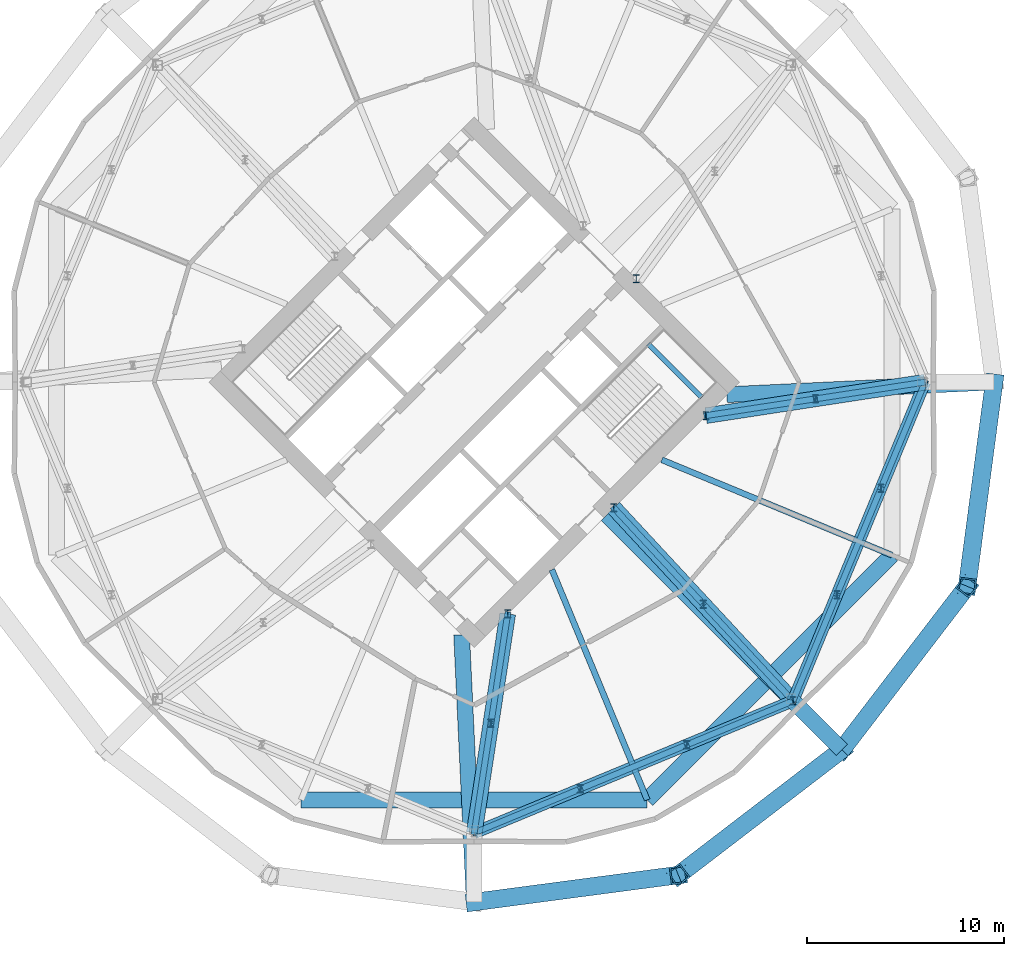
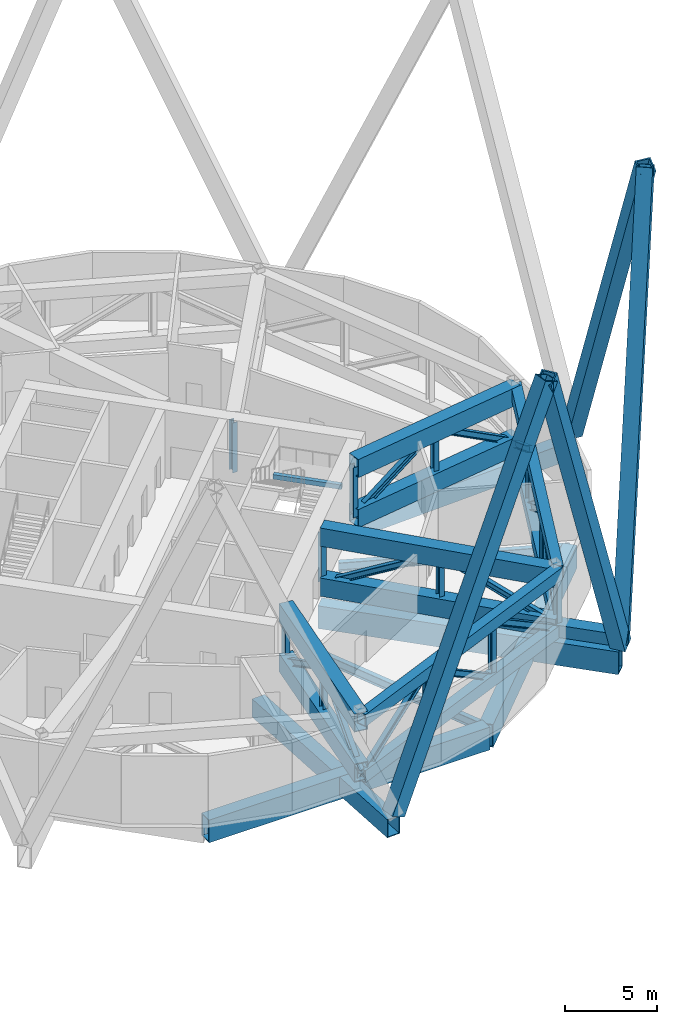
# One storey, part 9 of 21: 38 members, 9 beams.
"""IFC4 building model written with IfcOpenShell, lengths in metres."""

from ifc_helpers import new_model, si_unit, direction, frame, origin, origin_2d, place, context, subcontext, project, spatial, rectangle, hollow_rectangle, i_section, extrude, material, material_profile, profile_set, type_object, element, save


model = new_model("IFC4")

# Units and contexts
model_context = context("Model", 3, precision=1e-05, world=origin(), true_north=direction((0.0, 1.0)))
body_context = subcontext(model_context, "Body", "Model", "MODEL_VIEW")
ifc_project = project(units=[si_unit("LENGTHUNIT", "METRE"), si_unit("AREAUNIT", "SQUARE_METRE"), si_unit("VOLUMEUNIT", "CUBIC_METRE"), si_unit("PLANEANGLEUNIT", "RADIAN"), si_unit("MASSUNIT", "GRAM", prefix="KILO")], contexts=[model_context])

# Site, building, storey
site_placement = place(None, origin())
site = spatial("IfcSite", under=ifc_project, at=site_placement, CompositionType="ELEMENT")
building_placement = place(site_placement, origin())
building = spatial("IfcBuilding", under=site, at=building_placement, Name="Ogive Gate Towers", CompositionType="ELEMENT")
storey_placement = place(building_placement, frame((0.0, 0.0, 71.39990234375)))
storey = spatial("IfcBuildingStorey", under=building, at=storey_placement, Name="L16", CompositionType="ELEMENT", Elevation=71.39990234375)

# Members
ifc_material_1 = material(Name="Steel SM460", Category="steel")
ifc_material_profile_1 = material_profile(ifc_material_1, hollow_rectangle(XDim=0.89990234375, YDim=0.89990234375, WallThickness=0.080078125, at=origin_2d()), Name="BX 900x900x80")
ifc_profile_set_1 = profile_set([ifc_material_profile_1], Name="Steel SM460")
member_type_1 = type_object("IfcMemberType", Name="Diagrid diagonal BX 900x900x80", PredefinedType="BRACE", material=ifc_profile_set_1)
for number, where, z_axis, x_axis, name in (
    (1, (62.330078125, 0.0, 0.0), (-0.05169225596, -0.391020203016, 0.918929328897), (0.991374679477, -0.131058173692, 0.0), "T2/L16/SDG001"),
    (2, (36.0, -26.330078125, 0.0), (0.391020203016, 0.05169225596, 0.918929328897), (-0.131058173692, 0.991374679477, 0.0), "T2/L16/SDG014"),
    (3, (54.6181640625, -18.6181640625, 0.0), (-0.313043448302, -0.239941197331, 0.918929823925), (0.608337680052, -0.793678314576, 0.0), "T2/L16/SDG015"),
    (4, (54.6181640625, -18.6181640625, 0.0), (0.239941197331, 0.313043448302, 0.918929823925), (-0.793678314576, 0.608337680052, 0.0), "T2/L16/SDG016"),
):
    element("IfcMember", number, at=place(storey_placement, frame(where, z_axis=z_axis, x_axis=x_axis)), inside=storey, type_object=member_type_1, Name=name, PredefinedType="BRACE", context=body_context, shape_type="SweptSolid", body=[
        extrude(hollow_rectangle(XDim=0.89990234375, YDim=0.89990234375, WallThickness=0.080078125, at=origin_2d()), origin(), (0.0, 0.0, 1.0), 26.44384765625),
    ])

# Beams
ifc_material_profile_2 = material_profile(ifc_material_1, hollow_rectangle(XDim=0.800048828125, YDim=1.5, WallThickness=0.06005859375, at=origin_2d()), Name="BX 1500x800x60")
ifc_profile_set_2 = profile_set([ifc_material_profile_2], Name="Steel SM460")
beam_type_1 = type_object("IfcBeamType", Name="Edge girder BX 1500x800x60", PredefinedType="BEAM", material=ifc_profile_set_2)
for number, where, z_axis, x_axis, name in (
    (5, (27.236572265625, -21.15673828125, -1.0498046875), (1.0, 0.0, 0.0), (0.0, 1.0, 0.0), "T2/L16/SBM018"),
    (6, (44.763427734375, -21.15673828125, -1.0498046875), (0.707106781187, 0.707106781187, 0.0), (-0.707106781187, 0.707106781187, 0.0), "T2/L16/SBM019"),
):
    element("IfcBeam", number, at=place(storey_placement, frame(where, z_axis=z_axis, x_axis=x_axis)), inside=storey, type_object=beam_type_1, Name=name, PredefinedType="BEAM", context=body_context, shape_type="SweptSolid", body=[
        extrude(hollow_rectangle(XDim=0.800048828125, YDim=1.5, WallThickness=0.06005859375, at=origin_2d()), origin(), (0.0, 0.0, 1.0), 17.52685546875),
    ])
ifc_material_2 = material(Name="Concrete C40/50", Category="concrete")
ifc_material_profile_3 = material_profile(ifc_material_2, rectangle(XDim=0.25, YDim=0.300048828125, at=origin_2d()), Name="RC 250x300")
ifc_profile_set_3 = profile_set([ifc_material_profile_3], Name="Concrete C40/50")
beam_type_2 = type_object("IfcBeamType", Name="Landing bearer RC 250x300", PredefinedType="BEAM", material=ifc_profile_set_3)
beam_1_placement = place(storey_placement, frame((47.527587890625, -0.77587890625, 2.050048828125), z_axis=(-0.707106781187, 0.707106781187, 0.0), x_axis=(-0.707106781187, -0.707106781187, 0.0)))
element("IfcBeam", 7, at=beam_1_placement, inside=storey, type_object=beam_type_2, Name="T2 L16 stair 2 landing bearer 1", PredefinedType="BEAM", context=body_context, shape_type="SweptSolid", body=[
    extrude(rectangle(XDim=0.25, YDim=0.300048828125, at=origin_2d()), origin(), (0.0, 0.0, 1.0), 3.824951171875),
])
ifc_material_profile_4 = material_profile(ifc_material_1, hollow_rectangle(XDim=0.800048828125, YDim=0.800048828125, WallThickness=0.050048828125, at=origin_2d()), Name="BX 800x800x50")
ifc_profile_set_4 = profile_set([ifc_material_profile_4], Name="Steel SM460")
beam_type_3 = type_object("IfcBeamType", Name="Node arm BX 800x800x50", PredefinedType="BEAM", material=ifc_profile_set_4)
beam_2_placement = place(storey_placement, frame((52.143310546875, -16.143310546875, 0.4501953125), z_axis=(0.707106781187, -0.707106781187, 0.0), x_axis=(0.707106781187, 0.707106781187, 0.0)))
element("IfcBeam", 8, at=beam_2_placement, inside=storey, type_object=beam_type_3, Name="T2/L16/SBM032", PredefinedType="BEAM", context=body_context, shape_type="SweptSolid", body=[
    extrude(hollow_rectangle(XDim=0.800048828125, YDim=0.800048828125, WallThickness=0.050048828125, at=origin_2d()), origin(), (0.0, 0.0, 1.0), 3.5),
])
ifc_material_3 = material(Name="Steel SM355", Category="steel")
ifc_material_profile_5 = material_profile(ifc_material_3, i_section(OverallWidth=0.300048828125, OverallDepth=0.590087890625, WebThickness=0.012939453125, FlangeThickness=0.02490234375, FilletRadius=0.027099609375, at=origin_2d()), Name="HE 600 A")
ifc_profile_set_5 = profile_set([ifc_material_profile_5], Name="Steel SM355")
beam_type_4 = type_object("IfcBeamType", Name="Radial floor beam HE 600 A", PredefinedType="BEAM", material=ifc_profile_set_5)
for number, where, z_axis, x_axis, name in (
    (9, (39.93505859375, -9.5, -0.594970703125), (0.382682759347, -0.923879811284, 0.0), (0.923879811284, 0.382682759347, 0.0), "T2/L16/SBM005"),
    (10, (45.5, -3.93505859375, -0.594970703125), (0.923879811284, -0.382682759347, 0.0), (0.382682759347, 0.923879811284, 0.0), "T2/L16/SBM007"),
):
    element("IfcBeam", number, at=place(storey_placement, frame(where, z_axis=z_axis, x_axis=x_axis)), inside=storey, type_object=beam_type_4, Name=name, PredefinedType="BEAM", context=body_context, shape_type="SweptSolid", body=[
        extrude(i_section(OverallWidth=0.300048828125, OverallDepth=0.590087890625, WebThickness=0.012939453125, FlangeThickness=0.02490234375, FilletRadius=0.027099609375, at=origin_2d()), origin(), (0.0, 0.0, 1.0), 12.6171875),
    ])
ifc_material_profile_6 = material_profile(ifc_material_1, hollow_rectangle(XDim=0.800048828125, YDim=1.199951171875, WallThickness=0.050048828125, at=origin_2d()), Name="BX 1200x800x50")
ifc_profile_set_6 = profile_set([ifc_material_profile_6], Name="Steel SM460")
beam_type_5 = type_object("IfcBeamType", Name="Transfer radial beam BX 1200x800x50", PredefinedType="BEAM", material=ifc_profile_set_6)
for number, where, z_axis, x_axis, name in (
    (11, (35.363525390625, -12.798583984375, -0.89990234375), (0.046984589384, -0.998895614346, 0.0), (0.998895614346, 0.046984589384, 0.0), "T2/L16/SBM004"),
    (12, (48.798583984375, -0.636474609375, -0.89990234375), (0.998895614346, 0.046984589384, 0.0), (-0.046984589384, 0.998895614346, 0.0), "T2/L16/SBM008"),
):
    element("IfcBeam", number, at=place(storey_placement, frame(where, z_axis=z_axis, x_axis=x_axis)), inside=storey, type_object=beam_type_5, Name=name, PredefinedType="BEAM", context=body_context, shape_type="SweptSolid", body=[
        extrude(hollow_rectangle(XDim=0.800048828125, YDim=1.199951171875, WallThickness=0.050048828125, at=origin_2d()), origin(), (0.0, 0.0, 1.0), 13.54638671875),
    ])
ifc_material_profile_7 = material_profile(ifc_material_1, hollow_rectangle(XDim=0.800048828125, YDim=1.5, WallThickness=0.06005859375, at=origin_2d()), Name="BX 1500x800x60")
ifc_profile_set_7 = profile_set([ifc_material_profile_7], Name="Steel SM460")
beam_type_6 = type_object("IfcBeamType", Name="Transfer radial beam BX 1500x800x60", PredefinedType="BEAM", material=ifc_profile_set_7)
beam_3_placement = place(storey_placement, frame((42.717529296875, -6.717529296875, -1.0498046875), z_axis=(0.707106781187, -0.707106781187, 0.0), x_axis=(0.707106781187, 0.707106781187, 0.0)))
element("IfcBeam", 13, at=beam_3_placement, inside=storey, type_object=beam_type_6, Name="T2/L16/SBM006", PredefinedType="BEAM", context=body_context, shape_type="SweptSolid", body=[
    extrude(hollow_rectangle(XDim=0.800048828125, YDim=1.5, WallThickness=0.06005859375, at=origin_2d()), origin(), (0.0, 0.0, 1.0), 16.830078125),
])

# Members
ifc_material_profile_8 = material_profile(ifc_material_1, hollow_rectangle(XDim=0.800048828125, YDim=1.199951171875, WallThickness=0.050048828125, at=origin_2d()), Name="BX 1200x800x50")
ifc_profile_set_8 = profile_set([ifc_material_profile_8], Name="Steel SM460")
member_type_2 = type_object("IfcMemberType", Name="Truss chord BX 1200x800x50", PredefinedType="CHORD", material=ifc_profile_set_8)
for number, where, z_axis, x_axis, name in (
    (14, (47.738037109375, -1.697021484375, 0.60009765625), (0.988497874654, 0.151234757263, 0.0), (-0.151234757263, 0.988497874654, 0.0), "T2/L16/STR010"),
    (15, (47.738037109375, -1.697021484375, 3.900146484375), (0.988497874654, 0.151234757263, 0.0), (-0.151234757263, 0.988497874654, 0.0), "T2/L16/STR011"),
    (16, (37.697021484375, -11.738037109375, 0.60009765625), (-0.151234757263, -0.988497874654, 0.0), (0.988497874654, -0.151234757263, 0.0), "T2/L16/STR094"),
    (17, (37.697021484375, -11.738037109375, 3.900146484375), (-0.151234757263, -0.988497874654, 0.0), (0.988497874654, -0.151234757263, 0.0), "T2/L16/STR095"),
):
    element("IfcMember", number, at=place(storey_placement, frame(where, z_axis=z_axis, x_axis=x_axis)), inside=storey, type_object=member_type_2, Name=name, PredefinedType="CHORD", context=body_context, shape_type="SweptSolid", body=[
        extrude(hollow_rectangle(XDim=0.800048828125, YDim=1.199951171875, WallThickness=0.050048828125, at=origin_2d()), origin(), (0.0, 0.0, 1.0), 11.22119140625),
    ])
for number, where, z_axis, x_axis, name in (
    (18, (43.071044921875, -6.364013671875, 0.60009765625), (0.680108448598, -0.733111518219, 0.0), (0.733111518219, 0.680108448598, 0.0), "T2/L16/STR107"),
    (19, (43.071044921875, -6.364013671875, 3.900146484375), (0.680108448598, -0.733111518219, 0.0), (0.733111518219, 0.680108448598, 0.0), "T2/L16/STR108"),
):
    element("IfcMember", number, at=place(storey_placement, frame(where, z_axis=z_axis, x_axis=x_axis)), inside=storey, type_object=member_type_2, Name=name, PredefinedType="CHORD", context=body_context, shape_type="SweptSolid", body=[
        extrude(hollow_rectangle(XDim=0.800048828125, YDim=1.199951171875, WallThickness=0.050048828125, at=origin_2d()), origin(), (0.0, 0.0, 1.0), 13.33935546875),
    ])
ifc_material_profile_9 = material_profile(ifc_material_1, hollow_rectangle(XDim=0.60009765625, YDim=0.800048828125, WallThickness=0.0400390625, at=origin_2d()), Name="BX 800x600x40")
ifc_profile_set_9 = profile_set([ifc_material_profile_9], Name="Steel SM460")
member_type_3 = type_object("IfcMemberType", Name="Truss chord BX 800x600x40", PredefinedType="CHORD", material=ifc_profile_set_9)
for number, where, z_axis, x_axis, name in (
    (20, (36.0, -22.830078125, 0.400146484375), (0.923879746828, 0.382682914959, 0.0), (-0.382682914959, 0.923879746828, 0.0), "T2/L16/STR086"),
    (21, (36.0, -22.830078125, 4.10009765625), (0.923879746828, 0.382682914959, 0.0), (-0.382682914959, 0.923879746828, 0.0), "T2/L16/STR087"),
    (22, (52.143310546875, -16.143310546875, 0.400146484375), (0.382682914959, 0.923879746828, 0.0), (-0.923879746828, 0.382682914959, 0.0), "T2/L16/STR100"),
    (23, (52.143310546875, -16.143310546875, 4.10009765625), (0.382682914959, 0.923879746828, 0.0), (-0.923879746828, 0.382682914959, 0.0), "T2/L16/STR101"),
):
    element("IfcMember", number, at=place(storey_placement, frame(where, z_axis=z_axis, x_axis=x_axis)), inside=storey, type_object=member_type_3, Name=name, PredefinedType="CHORD", context=body_context, shape_type="SweptSolid", body=[
        extrude(hollow_rectangle(XDim=0.60009765625, YDim=0.800048828125, WallThickness=0.0400390625, at=origin_2d()), origin(), (0.0, 0.0, 1.0), 17.473388671875),
    ])
ifc_material_profile_10 = material_profile(ifc_material_1, i_section(OverallWidth=0.300048828125, OverallDepth=0.39990234375, WebThickness=0.013427734375, FlangeThickness=0.02392578125, FilletRadius=0.027099609375, at=origin_2d()), Name="HE 400 B")
ifc_profile_set_10 = profile_set([ifc_material_profile_10], Name="Steel SM460")
member_type_4 = type_object("IfcMemberType", Name="Truss diagonal HE 400 B", PredefinedType="BRACE", material=ifc_profile_set_10)
member_1_placement = place(storey_placement, frame((47.738037109375, -1.697021484375, 0.60009765625), z_axis=(0.852035462375, 0.130340871269, 0.506997858114), x_axis=(-0.151216749764, 0.988500629535, 0.0)))
element("IfcMember", 24, at=member_1_placement, inside=storey, type_object=member_type_4, Name="T2/L16/STR012", PredefinedType="BRACE", context=body_context, shape_type="SweptSolid", body=[
    extrude(i_section(OverallWidth=0.300048828125, OverallDepth=0.39990234375, WebThickness=0.013427734375, FlangeThickness=0.02392578125, FilletRadius=0.027099609375, at=origin_2d()), origin(), (0.0, 0.0, 1.0), 6.509033203125),
])
member_2_placement = place(storey_placement, frame((53.283935546875, -0.8486328125, 3.900146484375), z_axis=(0.85204157463, 0.130373575446, -0.506979177016), x_axis=(-0.151252763819, 0.988495119582, 0.0)))
element("IfcMember", 25, at=member_2_placement, inside=storey, type_object=member_type_4, Name="T2/L16/STR013", PredefinedType="BRACE", context=body_context, shape_type="SweptSolid", body=[
    extrude(i_section(OverallWidth=0.300048828125, OverallDepth=0.39990234375, WebThickness=0.013427734375, FlangeThickness=0.02392578125, FilletRadius=0.027099609375, at=origin_2d()), origin(), (0.0, 0.0, 1.0), 6.50927734375),
])
for number, where, z_axis, x_axis, name in (
    (26, (36.0, -22.830078125, 0.400146484375), (0.779834268576, 0.323029212472, 0.536200187844), (-0.382694840836, 0.923874806885, 0.0), "T2/L16/STR088"),
    (27, (41.381103515625, -20.60107421875, 4.10009765625), (0.779834268576, 0.323029212472, -0.536200187844), (-0.382694840836, 0.923874806885, 0.0), "T2/L16/STR089"),
):
    element("IfcMember", number, at=place(storey_placement, frame(where, z_axis=z_axis, x_axis=x_axis)), inside=storey, type_object=member_type_4, Name=name, PredefinedType="BRACE", context=body_context, shape_type="SweptSolid", body=[
        extrude(i_section(OverallWidth=0.300048828125, OverallDepth=0.39990234375, WebThickness=0.013427734375, FlangeThickness=0.02392578125, FilletRadius=0.027099609375, at=origin_2d()), origin(), (0.0, 0.0, 1.0), 6.900390625),
    ])
member_3_placement = place(storey_placement, frame((46.76220703125, -18.3720703125, 4.10009765625), z_axis=(0.779843181061, 0.322997522794, -0.53620631591), x_axis=(-0.382659062633, 0.923889626408, 0.0)))
element("IfcMember", 28, at=member_3_placement, inside=storey, type_object=member_type_4, Name="T2/L16/STR090", PredefinedType="BRACE", context=body_context, shape_type="SweptSolid", body=[
    extrude(i_section(OverallWidth=0.300048828125, OverallDepth=0.39990234375, WebThickness=0.013427734375, FlangeThickness=0.02392578125, FilletRadius=0.027099609375, at=origin_2d()), origin(), (0.0, 0.0, 1.0), 6.900146484375),
])
member_4_placement = place(storey_placement, frame((37.697021484375, -11.738037109375, 0.60009765625), z_axis=(-0.130340871269, -0.852035462375, 0.506997858114), x_axis=(0.988500629535, -0.151216749764, 0.0)))
element("IfcMember", 29, at=member_4_placement, inside=storey, type_object=member_type_4, Name="T2/L16/STR096", PredefinedType="BRACE", context=body_context, shape_type="SweptSolid", body=[
    extrude(i_section(OverallWidth=0.300048828125, OverallDepth=0.39990234375, WebThickness=0.013427734375, FlangeThickness=0.02392578125, FilletRadius=0.027099609375, at=origin_2d()), origin(), (0.0, 0.0, 1.0), 6.509033203125),
])
member_5_placement = place(storey_placement, frame((36.8486328125, -17.283935546875, 3.900146484375), z_axis=(-0.130373575446, -0.85204157463, -0.506979177016), x_axis=(0.988495119582, -0.151252763819, 0.0)))
element("IfcMember", 30, at=member_5_placement, inside=storey, type_object=member_type_4, Name="T2/L16/STR097", PredefinedType="BRACE", context=body_context, shape_type="SweptSolid", body=[
    extrude(i_section(OverallWidth=0.300048828125, OverallDepth=0.39990234375, WebThickness=0.013427734375, FlangeThickness=0.02392578125, FilletRadius=0.027099609375, at=origin_2d()), origin(), (0.0, 0.0, 1.0), 6.50927734375),
])
member_6_placement = place(storey_placement, frame((52.143310546875, -16.143310546875, 0.400146484375), z_axis=(0.322997522794, 0.779843181061, 0.53620631591), x_axis=(-0.923889626408, 0.382659062633, 0.0)))
element("IfcMember", 31, at=member_6_placement, inside=storey, type_object=member_type_4, Name="T2/L16/STR102", PredefinedType="BRACE", context=body_context, shape_type="SweptSolid", body=[
    extrude(i_section(OverallWidth=0.300048828125, OverallDepth=0.39990234375, WebThickness=0.013427734375, FlangeThickness=0.02392578125, FilletRadius=0.027099609375, at=origin_2d()), origin(), (0.0, 0.0, 1.0), 6.900146484375),
])
for number, where, z_axis, x_axis, name in (
    (32, (54.3720703125, -10.76220703125, 4.10009765625), (0.323029212472, 0.779834268576, -0.536200187844), (-0.923874806885, 0.382694840836, 0.0), "T2/L16/STR103"),
    (33, (56.60107421875, -5.381103515625, 4.10009765625), (0.323029212472, 0.779834268576, -0.536200187844), (-0.923874806885, 0.382694840836, 0.0), "T2/L16/STR104"),
):
    element("IfcMember", number, at=place(storey_placement, frame(where, z_axis=z_axis, x_axis=x_axis)), inside=storey, type_object=member_type_4, Name=name, PredefinedType="BRACE", context=body_context, shape_type="SweptSolid", body=[
        extrude(i_section(OverallWidth=0.300048828125, OverallDepth=0.39990234375, WebThickness=0.013427734375, FlangeThickness=0.02392578125, FilletRadius=0.027099609375, at=origin_2d()), origin(), (0.0, 0.0, 1.0), 6.900390625),
    ])
for number, where, z_axis, x_axis, name in (
    (34, (43.071044921875, -6.364013671875, 0.60009765625), (0.60957477944, -0.657080930174, 0.443467292449), (0.733111518219, 0.680108448598, 0.0), "T2/L16/STR109"),
    (35, (47.607177734375, -11.253662109375, 3.900146484375), (0.60957477944, -0.657080930174, -0.443467292449), (0.733111518219, 0.680108448598, 0.0), "T2/L16/STR110"),
):
    element("IfcMember", number, at=place(storey_placement, frame(where, z_axis=z_axis, x_axis=x_axis)), inside=storey, type_object=member_type_4, Name=name, PredefinedType="BRACE", context=body_context, shape_type="SweptSolid", body=[
        extrude(i_section(OverallWidth=0.300048828125, OverallDepth=0.39990234375, WebThickness=0.013427734375, FlangeThickness=0.02392578125, FilletRadius=0.027099609375, at=origin_2d()), origin(), (0.0, 0.0, 1.0), 7.44140625),
    ])
ifc_material_profile_11 = material_profile(ifc_material_1, i_section(OverallWidth=0.300048828125, OverallDepth=0.39990234375, WebThickness=0.013427734375, FlangeThickness=0.02392578125, FilletRadius=0.027099609375, at=origin_2d()), Name="HE 400 B")
ifc_profile_set_11 = profile_set([ifc_material_profile_11], Name="Steel SM460")
member_type_5 = type_object("IfcMemberType", Name="Truss post HE 400 B", PredefinedType="POST", material=ifc_profile_set_11)
for number, where, z_axis, x_axis, name in (
    (36, (47.738037109375, -1.697021484375, 0.60009765625), (0.0, 0.0, 1.0), (1.0, 0.0, 0.0), "T2/L16/STR014"),
    (37, (53.283935546875, -0.8486328125, 0.60009765625), (0.0, 0.0, 1.0), (1.0, 0.0, 0.0), "T2/L16/STR015"),
    (38, (44.202392578125, 5.232666015625, 0.60009765625), (0.0, 0.0, 1.0), (1.0, 0.0, 0.0), "T2/L16/STR028"),
):
    element("IfcMember", number, at=place(storey_placement, frame(where, z_axis=z_axis, x_axis=x_axis)), inside=storey, type_object=member_type_5, Name=name, PredefinedType="POST", context=body_context, shape_type="SweptSolid", body=[
        extrude(i_section(OverallWidth=0.300048828125, OverallDepth=0.39990234375, WebThickness=0.013427734375, FlangeThickness=0.02392578125, FilletRadius=0.027099609375, at=origin_2d()), origin(), (0.0, 0.0, 1.0), 3.300048828125),
    ])
for number, where, z_axis, x_axis, name in (
    (39, (41.381103515625, -20.60107421875, 0.400146484375), (0.0, 0.0, 1.0), (1.0, 0.0, 0.0), "T2/L16/STR091"),
    (40, (46.76220703125, -18.3720703125, 0.400146484375), (0.0, 0.0, 1.0), (1.0, 0.0, 0.0), "T2/L16/STR092"),
    (41, (52.143310546875, -16.143310546875, 0.400146484375), (0.0, 0.0, 1.0), (1.0, 0.0, 0.0), "T2/L16/STR093"),
):
    element("IfcMember", number, at=place(storey_placement, frame(where, z_axis=z_axis, x_axis=x_axis)), inside=storey, type_object=member_type_5, Name=name, PredefinedType="POST", context=body_context, shape_type="SweptSolid", body=[
        extrude(i_section(OverallWidth=0.300048828125, OverallDepth=0.39990234375, WebThickness=0.013427734375, FlangeThickness=0.02392578125, FilletRadius=0.027099609375, at=origin_2d()), origin(), (0.0, 0.0, 1.0), 3.699951171875),
    ])
for number, where, z_axis, x_axis, name in (
    (42, (37.697021484375, -11.738037109375, 0.60009765625), (0.0, 0.0, 1.0), (1.0, 0.0, 0.0), "T2/L16/STR098"),
    (43, (36.8486328125, -17.283935546875, 0.60009765625), (0.0, 0.0, 1.0), (1.0, 0.0, 0.0), "T2/L16/STR099"),
):
    element("IfcMember", number, at=place(storey_placement, frame(where, z_axis=z_axis, x_axis=x_axis)), inside=storey, type_object=member_type_5, Name=name, PredefinedType="POST", context=body_context, shape_type="SweptSolid", body=[
        extrude(i_section(OverallWidth=0.300048828125, OverallDepth=0.39990234375, WebThickness=0.013427734375, FlangeThickness=0.02392578125, FilletRadius=0.027099609375, at=origin_2d()), origin(), (0.0, 0.0, 1.0), 3.300048828125),
    ])
for number, where, z_axis, x_axis, name in (
    (44, (54.3720703125, -10.76220703125, 0.400146484375), (0.0, 0.0, 1.0), (1.0, 0.0, 0.0), "T2/L16/STR105"),
    (45, (56.60107421875, -5.381103515625, 0.400146484375), (0.0, 0.0, 1.0), (1.0, 0.0, 0.0), "T2/L16/STR106"),
):
    element("IfcMember", number, at=place(storey_placement, frame(where, z_axis=z_axis, x_axis=x_axis)), inside=storey, type_object=member_type_5, Name=name, PredefinedType="POST", context=body_context, shape_type="SweptSolid", body=[
        extrude(i_section(OverallWidth=0.300048828125, OverallDepth=0.39990234375, WebThickness=0.013427734375, FlangeThickness=0.02392578125, FilletRadius=0.027099609375, at=origin_2d()), origin(), (0.0, 0.0, 1.0), 3.699951171875),
    ])
for number, where, z_axis, x_axis, name in (
    (46, (43.071044921875, -6.364013671875, 0.60009765625), (0.0, 0.0, 1.0), (1.0, 0.0, 0.0), "T2/L16/STR111"),
    (47, (47.607177734375, -11.253662109375, 0.60009765625), (0.0, 0.0, 1.0), (1.0, 0.0, 0.0), "T2/L16/STR112"),
):
    element("IfcMember", number, at=place(storey_placement, frame(where, z_axis=z_axis, x_axis=x_axis)), inside=storey, type_object=member_type_5, Name=name, PredefinedType="POST", context=body_context, shape_type="SweptSolid", body=[
        extrude(i_section(OverallWidth=0.300048828125, OverallDepth=0.39990234375, WebThickness=0.013427734375, FlangeThickness=0.02392578125, FilletRadius=0.027099609375, at=origin_2d()), origin(), (0.0, 0.0, 1.0), 3.300048828125),
    ])

save(model, "model.ifc")
